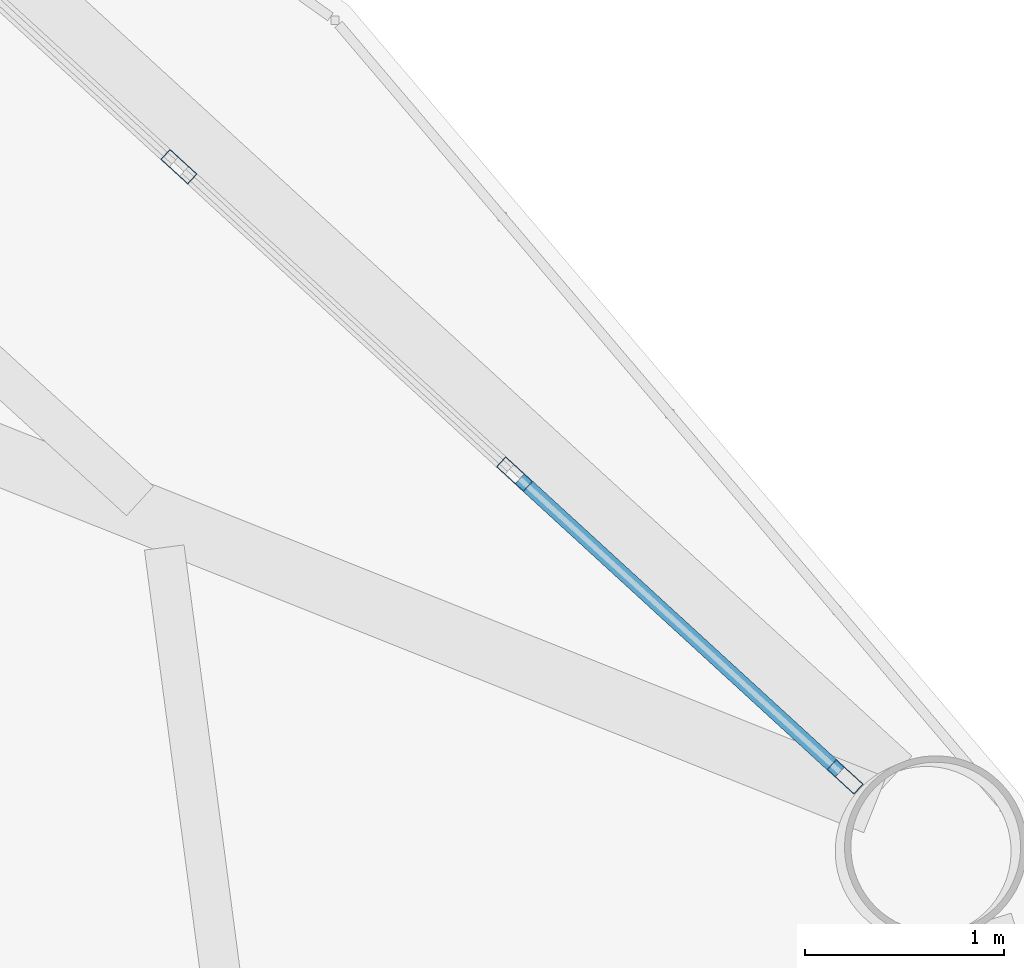
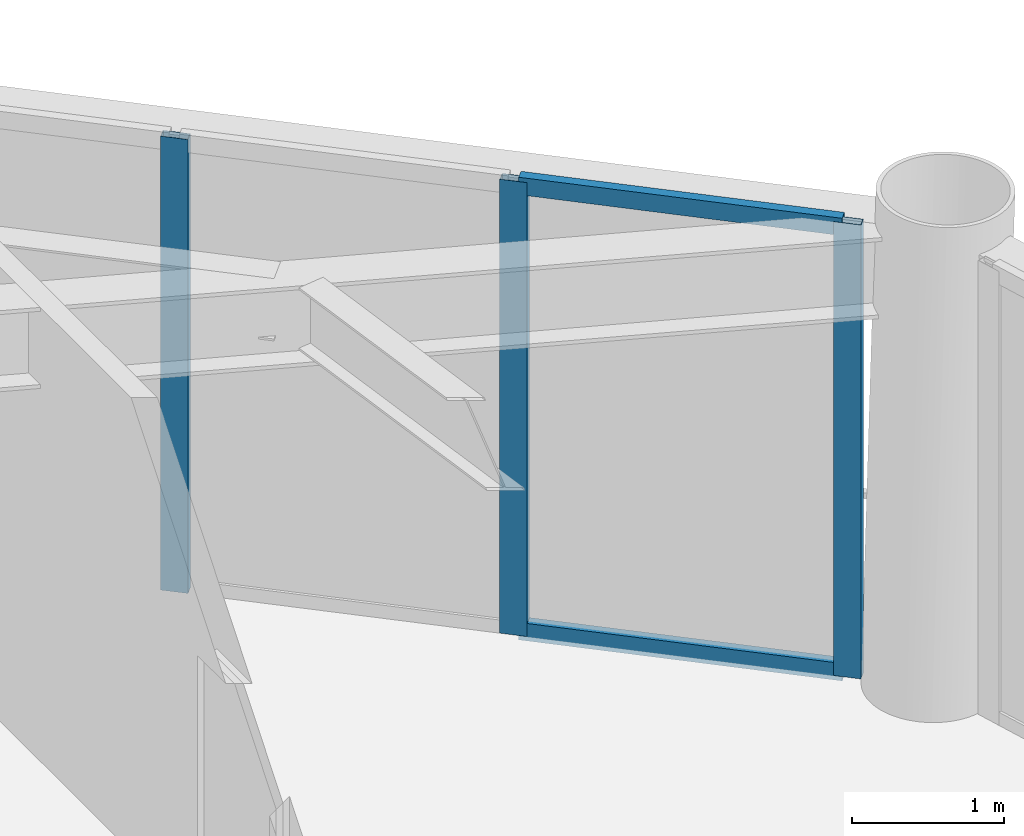
# One storey, part 17 of 25: 5 members, 1 element without a shape of its own.
"""IFC4 building model written with IfcOpenShell, lengths in metres."""

from ifc_helpers import new_model, si_unit, direction, frame, origin, origin_2d, place, context, subcontext, project, spatial, hollow_rectangle, extrude, material, layer, layer_set, material_profile, profile_set, type_object, element, aggregate, save


model = new_model("IFC4")

# Units and contexts
model_context = context("Model", 3, precision=1e-05, world=origin(), true_north=direction((0.0, 1.0)))
body_context = subcontext(model_context, "Body", "Model", "MODEL_VIEW")
ifc_project = project(units=[si_unit("LENGTHUNIT", "METRE"), si_unit("AREAUNIT", "SQUARE_METRE"), si_unit("VOLUMEUNIT", "CUBIC_METRE"), si_unit("PLANEANGLEUNIT", "RADIAN"), si_unit("MASSUNIT", "GRAM", prefix="KILO")], contexts=[model_context])

# Site, building, storey
site_placement = place(None, origin())
site = spatial("IfcSite", under=ifc_project, at=site_placement, CompositionType="ELEMENT")
building_placement = place(site_placement, origin())
building = spatial("IfcBuilding", under=site, at=building_placement, Name="Varnakorn Sky Granary", CompositionType="ELEMENT")
storey_placement = place(building_placement, frame((0.0, 0.0, 39.300048828125)))
storey = spatial("IfcBuildingStorey", under=building, at=storey_placement, Name="L09", CompositionType="ELEMENT", Elevation=39.300048828125)

# Curtain wall, members
ifc_material = material(Name="Anodised Bronze Aluminium Alloy 6063-T6", Category="aluminium")
ifc_layer = layer(ifc_material, 0.18994140625, Name="Anodised Bronze Aluminium Alloy 6063-T6")
ifc_layer_set = layer_set([ifc_layer], Name="Anodised Bronze Aluminium Alloy 6063-T6")
curtain_wall_type = type_object("IfcCurtainWallType", Name="CW-FRM-1", PredefinedType="USERDEFINED", material=ifc_layer_set)
curtain_wall_placement = place(storey_placement, origin())
curtain_wall = element("IfcCurtainWall", 1, at=curtain_wall_placement, inside=storey, type_object=curtain_wall_type, Name="Unitised Curtain Wall CW3 CW-L09-B02", ObjectType="CURTAIN WALL", PredefinedType="USERDEFINED")
ifc_material_profile_1 = material_profile(ifc_material, hollow_rectangle(XDim=0.070068359375, YDim=0.18505859375, WallThickness=0.00390625, at=origin_2d()), Name="ALU MULL 70x185")
ifc_profile_set_1 = profile_set([ifc_material_profile_1], Name="Anodised Bronze Aluminium Alloy 6063-T6")
member_type_1 = type_object("IfcMemberType", Name="CW-FRM-1-MULL", PredefinedType="MULLION", material=ifc_profile_set_1)
member_1_placement = place(storey_placement, frame((12.48193359375, 12.80517578125, 0.0), z_axis=(0.0, 0.0, 1.0), x_axis=(0.675388643465, 0.73746198565, 0.0)))
member_1 = element("IfcMember", 2, at=member_1_placement, type_object=member_type_1, Name="CW3 mullion 3", PredefinedType="MULLION", context=body_context, shape_type="SweptSolid", body=[
    extrude(hollow_rectangle(XDim=0.070068359375, YDim=0.18505859375, WallThickness=0.00390625, at=origin_2d()), origin(), (0.0, 0.0, 1.0), 3.639892578125),
])
member_2_placement = place(storey_placement, frame((14.16455078125, 11.26416015625, 0.0), z_axis=(0.0, 0.0, 1.0), x_axis=(0.675388643465, 0.73746198565, 0.0)))
member_2 = element("IfcMember", 3, at=member_2_placement, type_object=member_type_1, Name="CW3 mullion 4", PredefinedType="MULLION", context=body_context, shape_type="SweptSolid", body=[
    extrude(hollow_rectangle(XDim=0.070068359375, YDim=0.18505859375, WallThickness=0.00390625, at=origin_2d()), origin(), (0.0, 0.0, 1.0), 3.639892578125),
])
member_3_placement = place(storey_placement, frame((15.8212890625, 9.746826171875, 0.0), z_axis=(0.0, 0.0, 1.0), x_axis=(0.675388643465, 0.73746198565, 0.0)))
member_3 = element("IfcMember", 4, at=member_3_placement, type_object=member_type_1, Name="CW3 mullion 5", PredefinedType="MULLION", context=body_context, shape_type="SweptSolid", body=[
    extrude(hollow_rectangle(XDim=0.070068359375, YDim=0.18505859375, WallThickness=0.00390625, at=origin_2d()), origin(), (0.0, 0.0, 1.0), 3.639892578125),
])
ifc_material_profile_2 = material_profile(ifc_material, hollow_rectangle(XDim=0.070068359375, YDim=0.139892578125, WallThickness=0.00341796875, at=origin_2d()), Name="ALU TRAN 70x140")
ifc_profile_set_2 = profile_set([ifc_material_profile_2], Name="Anodised Bronze Aluminium Alloy 6063-T6")
member_type_2 = type_object("IfcMemberType", Name="CW-FRM-1-TRAN", PredefinedType="USERDEFINED", material=ifc_profile_set_2)
member_4_placement = place(storey_placement, frame((14.1904296875, 11.240478515625, 0.034912109375), z_axis=(0.737442766501, -0.6754096284, 0.0), x_axis=(0.6754096284, 0.737442766501, 0.0)))
member_4 = element("IfcMember", 5, at=member_4_placement, type_object=member_type_2, Name="CW3 transom 4.1", ObjectType="TRANSOM", PredefinedType="USERDEFINED", context=body_context, shape_type="SweptSolid", body=[
    extrude(hollow_rectangle(XDim=0.070068359375, YDim=0.139892578125, WallThickness=0.00341796875, at=origin_2d()), origin(), (0.0, 0.0, 1.0), 2.176513671875),
])
member_5_placement = place(storey_placement, frame((14.1904296875, 11.240478515625, 3.60498046875), z_axis=(0.737442766501, -0.6754096284, 0.0), x_axis=(0.6754096284, 0.737442766501, 0.0)))
member_5 = element("IfcMember", 6, at=member_5_placement, type_object=member_type_2, Name="CW3 transom 4.2", ObjectType="TRANSOM", PredefinedType="USERDEFINED", context=body_context, shape_type="SweptSolid", body=[
    extrude(hollow_rectangle(XDim=0.070068359375, YDim=0.139892578125, WallThickness=0.00341796875, at=origin_2d()), origin(), (0.0, 0.0, 1.0), 2.176513671875),
])
aggregate(curtain_wall, [member_1, member_2, member_3, member_4, member_5])

save(model, "model.ifc")
